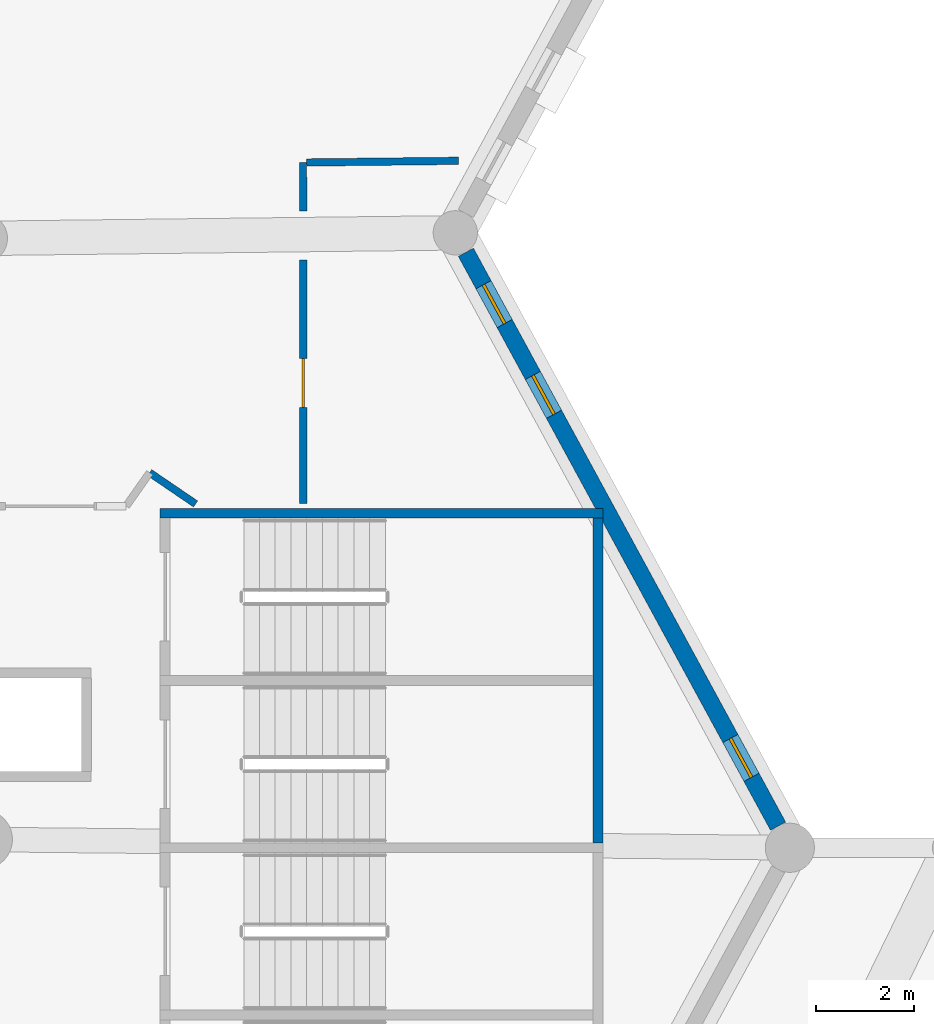
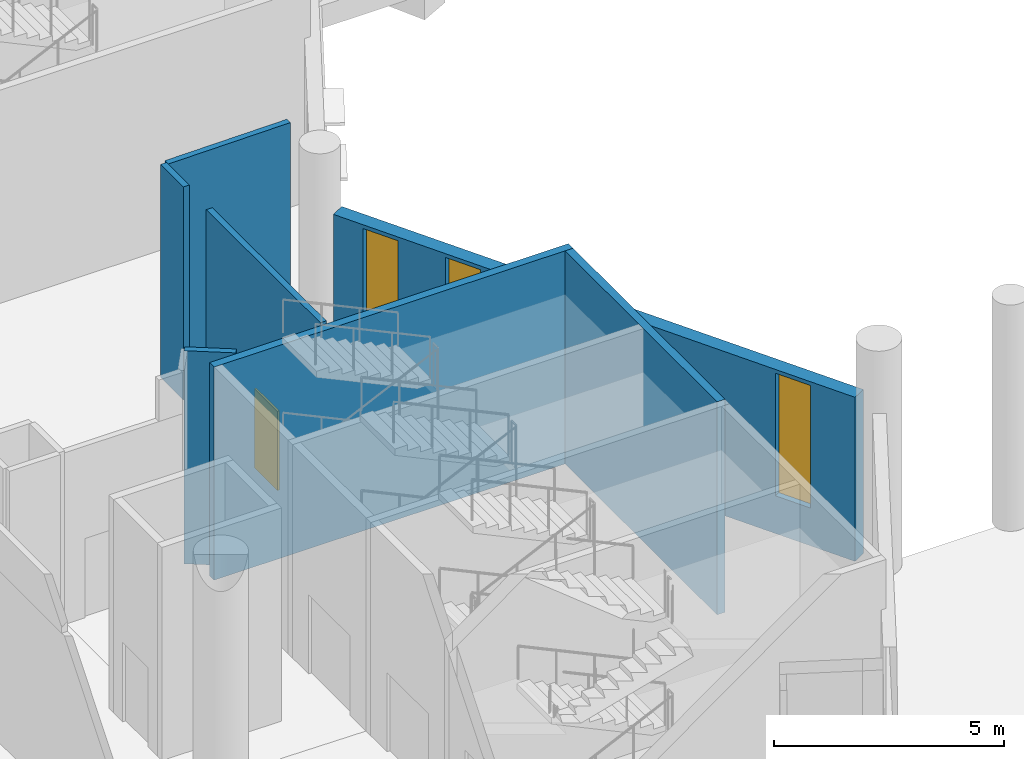
# One storey, part 158 of 249: 7 walls, 3 windows, 1 door, 4 openings.
"""IFC4 building model written with IfcOpenShell, lengths in metres."""

from ifc_helpers import new_model, si_unit, direction, frame, frame_2d, origin, place, context, subcontext, project, spatial, rectangle, extrude, material, layer, layer_set, type_object, element, fill, save


model = new_model("IFC4")

# Units and contexts
model_context = context("Model", 3, precision=1e-05, world=origin(), true_north=direction((0.0, 1.0)))
body_context = subcontext(model_context, "Body", "Model", "MODEL_VIEW")
ifc_project = project(units=[si_unit("LENGTHUNIT", "METRE"), si_unit("AREAUNIT", "SQUARE_METRE"), si_unit("VOLUMEUNIT", "CUBIC_METRE"), si_unit("PLANEANGLEUNIT", "RADIAN"), si_unit("MASSUNIT", "GRAM", prefix="KILO")], contexts=[model_context])

# Site, building, storey
site_placement = place(None, origin())
site = spatial("IfcSite", under=ifc_project, at=site_placement, CompositionType="ELEMENT")
building_placement = place(site_placement, origin())
building = spatial("IfcBuilding", under=site, at=building_placement, Name="Meseta Stadium", CompositionType="ELEMENT")
storey_placement = place(building_placement, frame((0.0, 0.0, 12.0)))
storey = spatial("IfcBuildingStorey", under=building, at=storey_placement, Name="L02", CompositionType="ELEMENT", Elevation=12.0)

# Walls
ifc_material_1 = material(Name="Concrete C40/50", Category="concrete")
ifc_layer_1 = layer(ifc_material_1, 0.199951171875)
ifc_layer_set_1 = layer_set([ifc_layer_1], Name="Core shaft wall 200")
wall_type_1 = type_object("IfcWallType", Name="Core shaft wall 200", PredefinedType="SHEAR", material=ifc_layer_set_1)
wall_1_placement = place(storey_placement, frame((97.60009765625, 0.550048828125, 0.0), z_axis=(0.0, 0.0, 1.0), x_axis=(-1.0, 0.0, 0.0)))
element("IfcWall", 1, at=wall_1_placement, inside=storey, type_object=wall_type_1, Name="Core 03 L02 stair wall B-side", PredefinedType="SHEAR", context=body_context, shape_type="SweptSolid", body=[
    extrude(rectangle(XDim=9.0, YDim=0.199951171875, at=frame_2d((4.5, 0.0))), origin(), (0.0, 0.0, 1.0), 5.64990234375),
])
wall_2_placement = place(storey_placement, frame((97.5, -6.14990234375, 0.0), z_axis=(0.0, 0.0, 1.0), x_axis=(0.0, 1.0, 0.0)))
element("IfcWall", 2, at=wall_2_placement, inside=storey, type_object=wall_type_1, Name="Core 03 L02 stair B outer end wall", PredefinedType="SHEAR", context=body_context, shape_type="SweptSolid", body=[
    extrude(rectangle(XDim=6.599853515625, YDim=0.199951171875, at=frame_2d((3.2998046875, 0.0))), origin(), (0.0, 0.0, 1.0), 5.64990234375),
])

# Wall, opening, door
ifc_material_2 = material(Name="Masonry blockwork", Category="masonry")
ifc_layer_2 = layer(ifc_material_2, 0.14990234375)
ifc_layer_set_2 = layer_set([ifc_layer_2], Name="Partition 150")
wall_type_2 = type_object("IfcWallType", Name="Partition 150", PredefinedType="PARTITIONING", material=ifc_layer_set_2)
wall_3_placement = place(storey_placement, frame((91.51171875, 0.75, 0.0), z_axis=(0.0, 0.0, 1.0), x_axis=(-0.000937252943, 0.999999560778, 0.0)))
wall_3 = element("IfcWall", 3, at=wall_3_placement, inside=storey, type_object=wall_type_2, Name="Partition L02 L02-cell02-2-0w", PredefinedType="PARTITIONING", context=body_context, shape_type="SweptSolid", body=[
    extrude(rectangle(XDim=4.94921875, YDim=0.14990234375, at=frame_2d((2.474609375, 0.0))), origin(), (0.0, 0.0, 1.0), 5.64990234375),
])
opening_1_placement = place(wall_3_placement, frame((1.949951171875, 0.0, 0.0)))
opening_1 = element("IfcOpeningElement", 4, at=opening_1_placement, cuts=wall_3, Name="Opening D1256", PredefinedType="OPENING", context=body_context, shape_type="SweptSolid", body=[
    extrude(rectangle(XDim=1.0, YDim=2.10009765625, at=frame_2d((0.5, 1.050048828125))), frame((0.0, 0.0849609375, 0.0), z_axis=(0.0, -1.0, 0.0), x_axis=(1.0, 0.0, 0.0)), (0.0, 0.0, 1.0), 0.169921875),
])
ifc_material_3 = material(Name="Timber", Category="wood")
door_type = type_object("IfcDoorType", Name="Room door 1000x2100", OperationType="NOTDEFINED", PredefinedType="DOOR", material=ifc_material_3)
door_placement = place(opening_1_placement, origin())
door = element("IfcDoor", 5, at=door_placement, inside=storey, type_object=door_type, Name="Room door L02 L02-cell02-2-0w", OperationType="SINGLE_SWING_LEFT", OverallHeight=2.10009765625, OverallWidth=1.0, PredefinedType="DOOR", context=body_context, shape_type="SweptSolid", body=[
    extrude(rectangle(XDim=1.0, YDim=2.10009765625, at=frame_2d((0.5, 1.050048828125))), frame((0.0, 0.02490234375, 0.0), z_axis=(0.0, -1.0, 0.0), x_axis=(1.0, 0.0, 0.0)), (0.0, 0.0, 1.0), 0.050048828125),
])
fill(opening_1, door)

# Walls
wall_4_placement = place(storey_placement, frame((91.506103515625, 6.68896484375, 0.0), z_axis=(0.0, 0.0, 1.0), x_axis=(-0.000986436018, 0.999999513472, 0.0)))
element("IfcWall", 6, at=wall_4_placement, inside=storey, type_object=wall_type_2, Name="Partition L02 L02-cell02-2-0w", PredefinedType="PARTITIONING", context=body_context, shape_type="SweptSolid", body=[
    extrude(rectangle(XDim=0.989990234375, YDim=0.14990234375, at=frame_2d((0.4951171875, 0.0))), origin(), (0.0, 0.0, 1.0), 5.64990234375),
])
wall_5_placement = place(storey_placement, frame((91.580078125, 7.6796875, 0.0), z_axis=(0.0, 0.0, 1.0), x_axis=(0.999940293703, 0.010927443818, 0.0)))
element("IfcWall", 7, at=wall_5_placement, inside=storey, type_object=wall_type_2, Name="Partition L02 L02-cell02-2-0w", PredefinedType="PARTITIONING", context=body_context, shape_type="SweptSolid", body=[
    extrude(rectangle(XDim=3.083251953125, YDim=0.14990234375, at=frame_2d((1.54150390625, 0.0))), origin(), (0.0, 0.0, 1.0), 5.64990234375),
])
wall_6_placement = place(storey_placement, frame((89.31982421875, 0.739501953125, 0.0), z_axis=(0.0, 0.0, 1.0), x_axis=(-0.826749248939, 0.562570599462, 0.0)))
element("IfcWall", 8, at=wall_6_placement, inside=storey, type_object=wall_type_2, Name="Stair vestibule wall L02 core 03", PredefinedType="PARTITIONING", context=body_context, shape_type="SweptSolid", body=[
    extrude(rectangle(XDim=1.12744140625, YDim=0.14990234375, at=frame_2d((0.563720703125, 0.0))), origin(), (0.0, 0.0, 1.0), 5.64990234375),
])

# Wall, openings, windows
ifc_material_4 = material(Name="White precast concrete C40/50", Category="concrete")
ifc_layer_3 = layer(ifc_material_4, 0.35009765625)
ifc_layer_set_3 = layer_set([ifc_layer_3], Name="Pleated panel wall 350 gate")
wall_type_3 = type_object("IfcWallType", Name="Pleated panel wall 350 gate", PredefinedType="SOLIDWALL", material=ifc_layer_set_3)
wall_7_placement = place(storey_placement, frame((94.81494140625, 5.854736328125, 0.0), z_axis=(0.0, 0.0, 1.0), x_axis=(0.477867771117, -0.878431780691, 0.0)))
wall_7 = element("IfcWall", 9, at=wall_7_placement, inside=storey, type_object=wall_type_3, Name="Pleated facade panel L02 F04", PredefinedType="SOLIDWALL", context=body_context, shape_type="SweptSolid", body=[
    extrude(rectangle(XDim=13.2802734375, YDim=0.35009765625, at=frame_2d((6.64013671875, 0.0))), origin(), (0.0, 0.0, 1.0), 4.35009765625),
])
opening_2_placement = place(wall_7_placement, frame((0.750244140625, 0.0, 1.0)))
opening_2 = element("IfcOpeningElement", 10, at=opening_2_placement, cuts=wall_7, Name="Opening W039", PredefinedType="OPENING", context=body_context, shape_type="SweptSolid", body=[
    extrude(rectangle(XDim=0.89990234375, YDim=3.25, at=frame_2d((0.449951171875, 1.625))), frame((0.0, 0.18505859375, 0.0), z_axis=(0.0, -1.0, 0.0), x_axis=(1.0, 0.0, 0.0)), (0.0, 0.0, 1.0), 0.3701171875),
])
opening_3_placement = place(wall_7_placement, frame((2.85009765625, 0.0, 1.0)))
opening_3 = element("IfcOpeningElement", 11, at=opening_3_placement, cuts=wall_7, Name="Opening W041", PredefinedType="OPENING", context=body_context, shape_type="SweptSolid", body=[
    extrude(rectangle(XDim=0.89990234375, YDim=3.25, at=frame_2d((0.449951171875, 1.625))), frame((0.0, 0.18505859375, 0.0), z_axis=(0.0, -1.0, 0.0), x_axis=(1.0, 0.0, 0.0)), (0.0, 0.0, 1.0), 0.3701171875),
])
opening_4_placement = place(wall_7_placement, frame((11.250244140625, 0.0, 1.0)))
opening_4 = element("IfcOpeningElement", 12, at=opening_4_placement, cuts=wall_7, Name="Opening W043", PredefinedType="OPENING", context=body_context, shape_type="SweptSolid", body=[
    extrude(rectangle(XDim=0.89990234375, YDim=3.25, at=frame_2d((0.449951171875, 1.625))), frame((0.0, 0.18505859375, 0.0), z_axis=(0.0, -1.0, 0.0), x_axis=(1.0, 0.0, 0.0)), (0.0, 0.0, 1.0), 0.3701171875),
])
ifc_material_5 = material(Name="Aluminium", Category="aluminium")
window_type = type_object("IfcWindowType", Name="Slot window 900x3250", PartitioningType="SINGLE_PANEL", PredefinedType="WINDOW", material=ifc_material_5)
window_1_placement = place(opening_2_placement, origin())
window_1 = element("IfcWindow", 13, at=window_1_placement, inside=storey, type_object=window_type, Name="Slot window L02 F04.1", OverallHeight=3.25, OverallWidth=0.89990234375, PartitioningType="SINGLE_PANEL", PredefinedType="WINDOW", context=body_context, shape_type="SweptSolid", body=[
    extrude(rectangle(XDim=0.89990234375, YDim=3.25, at=frame_2d((0.449951171875, 1.625))), frame((0.0, 0.030029296875, 0.0), z_axis=(0.0, -1.0, 0.0), x_axis=(1.0, 0.0, 0.0)), (0.0, 0.0, 1.0), 0.06005859375),
])
fill(opening_2, window_1)
window_2_placement = place(opening_3_placement, origin())
window_2 = element("IfcWindow", 14, at=window_2_placement, inside=storey, type_object=window_type, Name="Slot window L02 F04.2", OverallHeight=3.25, OverallWidth=0.89990234375, PartitioningType="SINGLE_PANEL", PredefinedType="WINDOW", context=body_context, shape_type="SweptSolid", body=[
    extrude(rectangle(XDim=0.89990234375, YDim=3.25, at=frame_2d((0.449951171875, 1.625))), frame((0.0, 0.030029296875, 0.0), z_axis=(0.0, -1.0, 0.0), x_axis=(1.0, 0.0, 0.0)), (0.0, 0.0, 1.0), 0.06005859375),
])
fill(opening_3, window_2)
window_3_placement = place(opening_4_placement, origin())
window_3 = element("IfcWindow", 15, at=window_3_placement, inside=storey, type_object=window_type, Name="Slot window L02 F04.6", OverallHeight=3.25, OverallWidth=0.89990234375, PartitioningType="SINGLE_PANEL", PredefinedType="WINDOW", context=body_context, shape_type="SweptSolid", body=[
    extrude(rectangle(XDim=0.89990234375, YDim=3.25, at=frame_2d((0.449951171875, 1.625))), frame((0.0, 0.030029296875, 0.0), z_axis=(0.0, -1.0, 0.0), x_axis=(1.0, 0.0, 0.0)), (0.0, 0.0, 1.0), 0.06005859375),
])
fill(opening_4, window_3)

save(model, "model.ifc")
